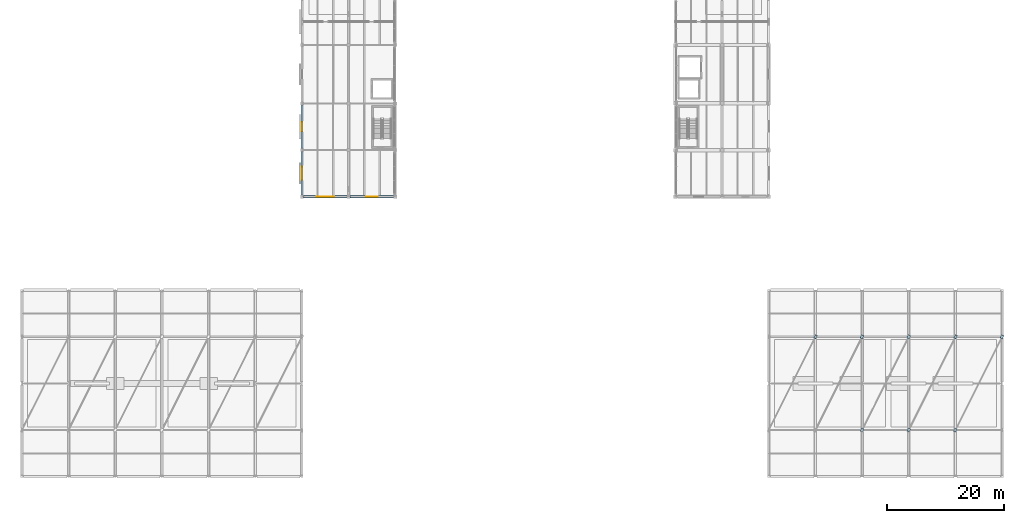
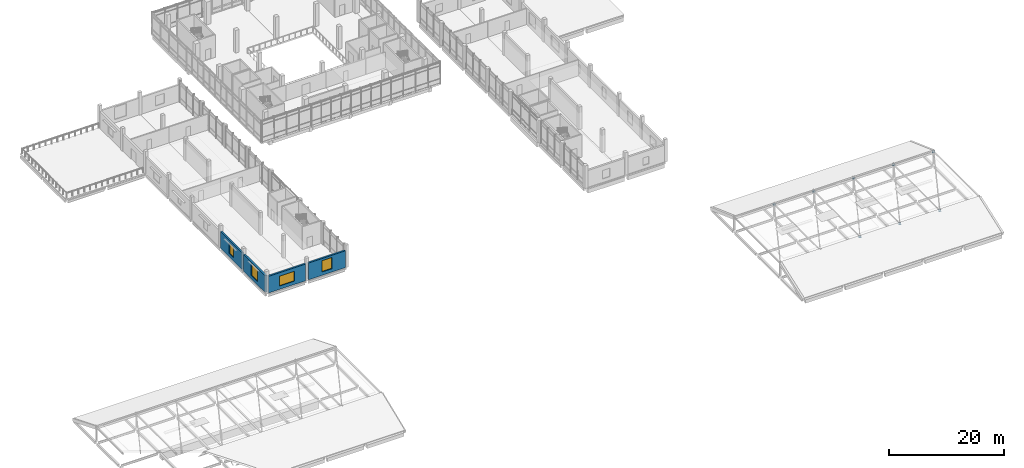
# One storey, part 32 of 47: 8 plates, 4 walls, 4 windows, 4 openings.
"""IFC4 building model written with IfcOpenShell, lengths in metres."""

from ifc_helpers import new_model, si_unit, direction, frame, frame_2d, origin, origin_2d, place, context, subcontext, project, spatial, rectangle, extrude, material, layer, layer_set, type_object, element, fill, save


model = new_model("IFC4")

# Units and contexts
model_context = context("Model", 3, precision=1e-05, world=origin(), true_north=direction((0.0, 1.0)))
body_context = subcontext(model_context, "Body", "Model", "MODEL_VIEW")
ifc_project = project(units=[si_unit("LENGTHUNIT", "METRE"), si_unit("AREAUNIT", "SQUARE_METRE"), si_unit("VOLUMEUNIT", "CUBIC_METRE"), si_unit("PLANEANGLEUNIT", "RADIAN"), si_unit("MASSUNIT", "GRAM", prefix="KILO")], contexts=[model_context])

# Site, building, storey
site_placement = place(None, origin())
site = spatial("IfcSite", under=ifc_project, at=site_placement, CompositionType="ELEMENT")
building_placement = place(site_placement, origin())
building = spatial("IfcBuilding", under=site, at=building_placement, Name="Pecanmere Concourse Central Library", CompositionType="ELEMENT")
storey_placement = place(building_placement, frame((0.0, 0.0, 15.300048828125)))
storey = spatial("IfcBuildingStorey", under=building, at=storey_placement, Name="L04", CompositionType="ELEMENT", Elevation=15.300048828125)

# Plates
ifc_material_1 = material(Name="Structural steel ASTM A572 Grade 50", Category="steel")
ifc_layer_1 = layer(ifc_material_1, 0.02197265625, Name="PLT_GUSSET_BRC")
ifc_layer_set_1 = layer_set([ifc_layer_1], Name="Structural steel ASTM A572 Grade 50")
plate_type = type_object("IfcPlateType", Name="PLT_GUSSET_BRC", PredefinedType="SHEET", material=ifc_layer_set_1)
for number, where, z_axis, x_axis, name in (
    (1, (136.0, 24.0, 2.557373046875), (0.0, 0.0, 1.0), (0.447290848419, 0.89438856037, 0.0), "Pavilion Brace End Gusset Plate 070-N"),
    (2, (144.0, 24.0, 2.557373046875), (0.0, 0.0, 1.0), (0.447290848419, 0.89438856037, 0.0), "Pavilion Brace End Gusset Plate 073-N"),
    (3, (144.0, 8.0, 2.557373046875), (0.0, 0.0, 1.0), (0.447290848419, 0.89438856037, 0.0), "Pavilion Brace End Gusset Plate 076-S"),
    (4, (152.0, 24.0, 2.557373046875), (0.0, 0.0, 1.0), (0.447290848419, 0.89438856037, 0.0), "Pavilion Brace End Gusset Plate 076-N"),
    (5, (152.0, 8.0, 2.557373046875), (0.0, 0.0, 1.0), (0.447290848419, 0.89438856037, 0.0), "Pavilion Brace End Gusset Plate 079-S"),
    (6, (160.0, 24.0, 2.557373046875), (0.0, 0.0, 1.0), (0.447290848419, 0.89438856037, 0.0), "Pavilion Brace End Gusset Plate 079-N"),
    (7, (160.0, 8.0, 2.557373046875), (0.0, 0.0, 1.0), (0.447290848419, 0.89438856037, 0.0), "Pavilion Brace End Gusset Plate 082-S"),
    (8, (168.0, 24.0, 2.557373046875), (0.0, 0.0, 1.0), (0.447290848419, 0.89438856037, 0.0), "Pavilion Brace End Gusset Plate 082-N"),
):
    element("IfcPlate", number, at=place(storey_placement, frame(where, z_axis=z_axis, x_axis=x_axis)), inside=storey, type_object=plate_type, Name=name, PredefinedType="SHEET", context=body_context, shape_type="SweptSolid", body=[
        extrude(rectangle(XDim=0.6201171875, YDim=0.419921875, at=origin_2d()), origin(), (0.0, 0.0, 1.0), 0.02197265625),
    ])

# Wall, opening, window
ifc_material_2 = material(Name="Texas cream limestone ashlar masonry", Category="masonry")
ifc_layer_2 = layer(ifc_material_2, 0.35009765625, Name="EW_LIME_350")
ifc_layer_set_2 = layer_set([ifc_layer_2], Name="Texas cream limestone ashlar masonry")
wall_type = type_object("IfcWallType", Name="EW_LIME_350", PredefinedType="STANDARD", material=ifc_layer_set_2)
wall_1_placement = place(storey_placement, frame((48.0, 55.72998046875, 0.0), z_axis=(0.0, 0.0, 1.0), x_axis=(0.0, -1.0, 0.0)))
wall_1 = element("IfcWall", 9, at=wall_1_placement, inside=storey, type_object=wall_type, Name="Limestone Facade Wall L04-0178", PredefinedType="STANDARD", context=body_context, shape_type="SweptSolid", body=[
    extrude(rectangle(XDim=7.4599609375, YDim=0.35009765625, at=frame_2d((3.72998046875, 0.0))), origin(), (0.0, 0.0, 1.0), 3.56005859375),
])
opening_1_placement = place(wall_1_placement, frame((2.6298828125, 0.0, 0.719970703125)))
opening_1 = element("IfcOpeningElement", 10, at=opening_1_placement, cuts=wall_1, Name="Opening WN-02", PredefinedType="OPENING", context=body_context, shape_type="SweptSolid", body=[
    extrude(rectangle(XDim=2.199951171875, YDim=2.5, at=frame_2d((1.10009765625, 1.25))), frame((0.0, 0.18701171875, 0.0), z_axis=(0.0, -1.0, 0.0), x_axis=(1.0, 0.0, 0.0)), (0.0, 0.0, 1.0), 0.3740234375),
])
ifc_material_3 = material(Name="Low-iron clear insulated glazing", Category="glass")
window_type_1 = type_object("IfcWindowType", Name="WIN_2200x2500", PartitioningType="SINGLE_PANEL", PredefinedType="WINDOW", material=ifc_material_3)
window_1_placement = place(opening_1_placement, origin())
window_1 = element("IfcWindow", 11, at=window_1_placement, inside=storey, type_object=window_type_1, Name="WN-148", OverallHeight=2.5, OverallWidth=2.199951171875, PartitioningType="SINGLE_PANEL", PredefinedType="WINDOW", context=body_context, shape_type="SweptSolid", body=[
    extrude(rectangle(XDim=2.199951171875, YDim=2.5, at=frame_2d((1.10009765625, 1.25))), frame((0.0, 0.030029296875, 0.0), z_axis=(0.0, -1.0, 0.0), x_axis=(1.0, 0.0, 0.0)), (0.0, 0.0, 1.0), 0.06005859375),
])
fill(opening_1, window_1)

wall_2_placement = place(storey_placement, frame((48.0, 63.72998046875, 0.0), z_axis=(0.0, 0.0, 1.0), x_axis=(0.0, -1.0, 0.0)))
wall_2 = element("IfcWall", 12, at=wall_2_placement, inside=storey, type_object=wall_type, Name="Limestone Facade Wall L04-0180", PredefinedType="STANDARD", context=body_context, shape_type="SweptSolid", body=[
    extrude(rectangle(XDim=7.4599609375, YDim=0.35009765625, at=frame_2d((3.72998046875, 0.0))), origin(), (0.0, 0.0, 1.0), 3.56005859375),
])
opening_2_placement = place(wall_2_placement, frame((2.929931640625, 0.0, 0.719970703125)))
opening_2 = element("IfcOpeningElement", 13, at=opening_2_placement, cuts=wall_2, Name="Opening WN-06", PredefinedType="OPENING", context=body_context, shape_type="SweptSolid", body=[
    extrude(rectangle(XDim=1.60009765625, YDim=2.199951171875, at=frame_2d((0.800048828125, 1.10009765625))), frame((0.0, 0.18701171875, 0.0), z_axis=(0.0, -1.0, 0.0), x_axis=(1.0, 0.0, 0.0)), (0.0, 0.0, 1.0), 0.3740234375),
])
ifc_material_4 = material(Name="Low-iron clear insulated glazing", Category="glass")
window_type_2 = type_object("IfcWindowType", Name="WIN_1600x2200", PartitioningType="SINGLE_PANEL", PredefinedType="WINDOW", material=ifc_material_4)
window_2_placement = place(opening_2_placement, origin())
window_2 = element("IfcWindow", 14, at=window_2_placement, inside=storey, type_object=window_type_2, Name="WN-150", OverallHeight=2.199951171875, OverallWidth=1.60009765625, PartitioningType="SINGLE_PANEL", PredefinedType="WINDOW", context=body_context, shape_type="SweptSolid", body=[
    extrude(rectangle(XDim=1.60009765625, YDim=2.199951171875, at=frame_2d((0.800048828125, 1.10009765625))), frame((0.0, 0.030029296875, 0.0), z_axis=(0.0, -1.0, 0.0), x_axis=(1.0, 0.0, 0.0)), (0.0, 0.0, 1.0), 0.06005859375),
])
fill(opening_2, window_2)

wall_3_placement = place(storey_placement, frame((48.27001953125, 48.0, 0.0), z_axis=(0.0, 0.0, 1.0), x_axis=(1.0, 0.0, 0.0)))
wall_3 = element("IfcWall", 15, at=wall_3_placement, inside=storey, type_object=wall_type, Name="Limestone Facade Wall L04-0195", PredefinedType="STANDARD", context=body_context, shape_type="SweptSolid", body=[
    extrude(rectangle(XDim=7.4599609375, YDim=0.35009765625, at=frame_2d((3.72998046875, 0.0))), origin(), (0.0, 0.0, 1.0), 3.56005859375),
])
opening_3_placement = place(wall_3_placement, frame((2.22998046875, 0.0, 0.719970703125)))
opening_3 = element("IfcOpeningElement", 16, at=opening_3_placement, cuts=wall_3, Name="Opening WN-17", PredefinedType="OPENING", context=body_context, shape_type="SweptSolid", body=[
    extrude(rectangle(XDim=3.0, YDim=2.10009765625, at=frame_2d((1.5, 1.050048828125))), frame((0.0, 0.18701171875, 0.0), z_axis=(0.0, -1.0, 0.0), x_axis=(1.0, 0.0, 0.0)), (0.0, 0.0, 1.0), 0.3740234375),
])
ifc_material_5 = material(Name="Low-iron clear insulated glazing", Category="glass")
window_type_3 = type_object("IfcWindowType", Name="WIN_3000x2100", PartitioningType="SINGLE_PANEL", PredefinedType="WINDOW", material=ifc_material_5)
window_3_placement = place(opening_3_placement, origin())
window_3 = element("IfcWindow", 17, at=window_3_placement, inside=storey, type_object=window_type_3, Name="WN-164", OverallHeight=2.10009765625, OverallWidth=3.0, PartitioningType="SINGLE_PANEL", PredefinedType="WINDOW", context=body_context, shape_type="SweptSolid", body=[
    extrude(rectangle(XDim=3.0, YDim=2.10009765625, at=frame_2d((1.5, 1.050048828125))), frame((0.0, 0.030029296875, 0.0), z_axis=(0.0, -1.0, 0.0), x_axis=(1.0, 0.0, 0.0)), (0.0, 0.0, 1.0), 0.06005859375),
])
fill(opening_3, window_3)

wall_4_placement = place(storey_placement, frame((56.27001953125, 48.0, 0.0), z_axis=(0.0, 0.0, 1.0), x_axis=(1.0, 0.0, 0.0)))
wall_4 = element("IfcWall", 18, at=wall_4_placement, inside=storey, type_object=wall_type, Name="Limestone Facade Wall L04-0197", PredefinedType="STANDARD", context=body_context, shape_type="SweptSolid", body=[
    extrude(rectangle(XDim=7.4599609375, YDim=0.35009765625, at=frame_2d((3.72998046875, 0.0))), origin(), (0.0, 0.0, 1.0), 3.56005859375),
])
opening_4_placement = place(wall_4_placement, frame((2.72998046875, 0.0, 0.719970703125)))
opening_4 = element("IfcOpeningElement", 19, at=opening_4_placement, cuts=wall_4, Name="Opening WN-03", PredefinedType="OPENING", context=body_context, shape_type="SweptSolid", body=[
    extrude(rectangle(XDim=2.0, YDim=2.39990234375, at=frame_2d((1.0, 1.199951171875))), frame((0.0, 0.18701171875, 0.0), z_axis=(0.0, -1.0, 0.0), x_axis=(1.0, 0.0, 0.0)), (0.0, 0.0, 1.0), 0.3740234375),
])
ifc_material_6 = material(Name="Low-iron clear insulated glazing", Category="glass")
window_type_4 = type_object("IfcWindowType", Name="WIN_2000x2400", PartitioningType="SINGLE_PANEL", PredefinedType="WINDOW", material=ifc_material_6)
window_4_placement = place(opening_4_placement, origin())
window_4 = element("IfcWindow", 20, at=window_4_placement, inside=storey, type_object=window_type_4, Name="WN-166", OverallHeight=2.39990234375, OverallWidth=2.0, PartitioningType="SINGLE_PANEL", PredefinedType="WINDOW", context=body_context, shape_type="SweptSolid", body=[
    extrude(rectangle(XDim=2.0, YDim=2.39990234375, at=frame_2d((1.0, 1.199951171875))), frame((0.0, 0.030029296875, 0.0), z_axis=(0.0, -1.0, 0.0), x_axis=(1.0, 0.0, 0.0)), (0.0, 0.0, 1.0), 0.06005859375),
])
fill(opening_4, window_4)

save(model, "model.ifc")
